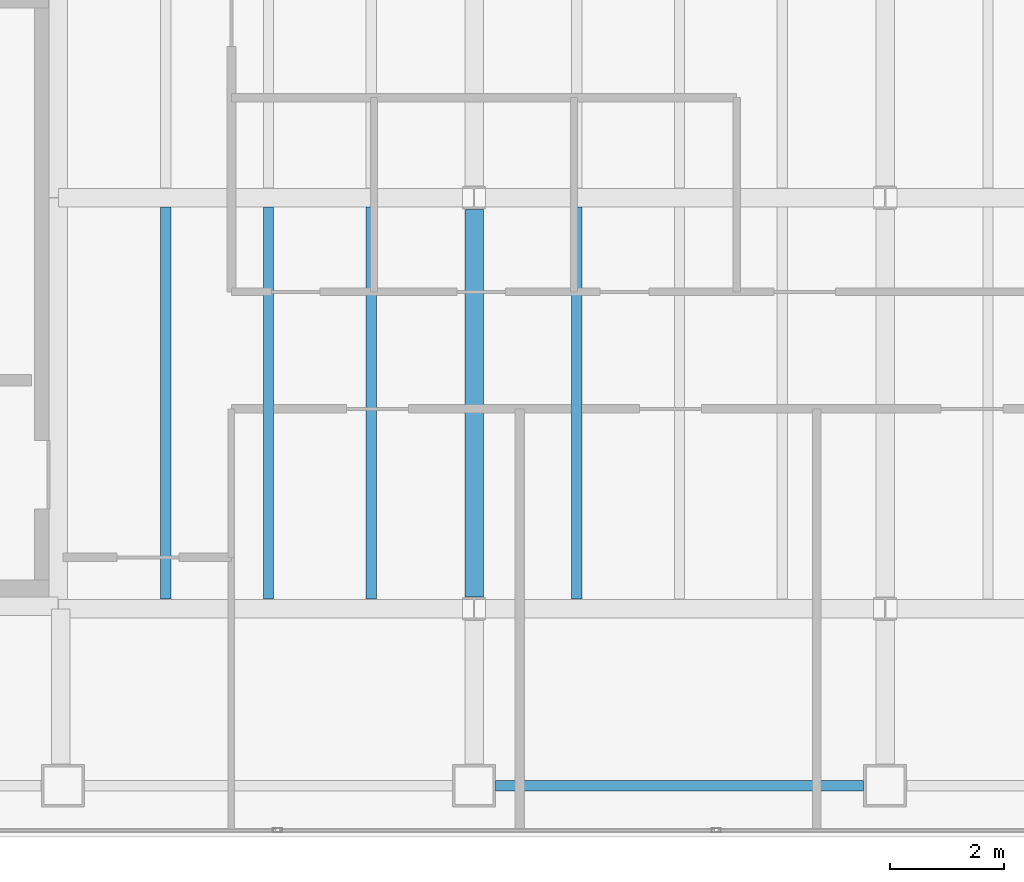
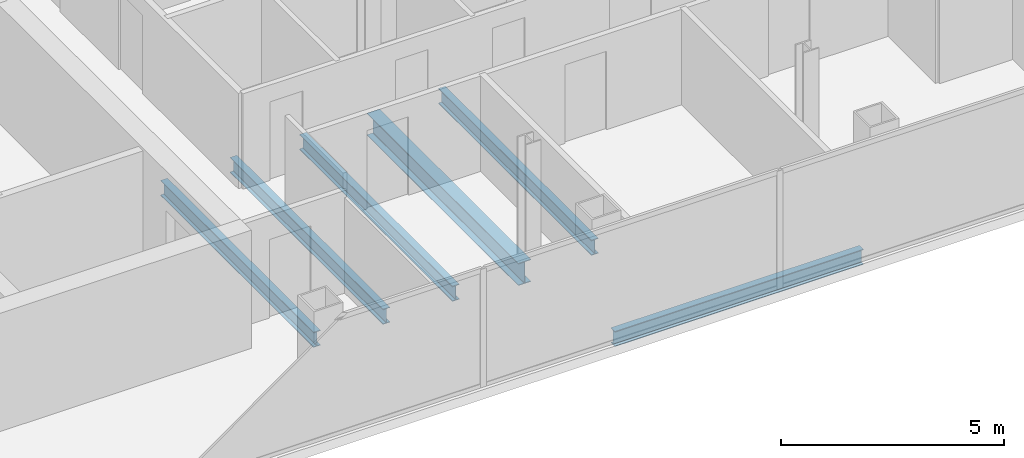
# One storey, part 5 of 23: 6 beams.
"""IFC4 building model written with IfcOpenShell, lengths in metres."""

from ifc_helpers import new_model, si_unit, direction, frame, origin, origin_2d, place, context, subcontext, project, spatial, i_section, extrude, material, material_profile, profile_set, type_object, element, save


model = new_model("IFC4")

# Units and contexts
model_context = context("Model", 3, precision=1e-05, world=origin(), true_north=direction((0.0, 1.0)))
body_context = subcontext(model_context, "Body", "Model", "MODEL_VIEW")
ifc_project = project(units=[si_unit("LENGTHUNIT", "METRE"), si_unit("AREAUNIT", "SQUARE_METRE"), si_unit("VOLUMEUNIT", "CUBIC_METRE"), si_unit("PLANEANGLEUNIT", "RADIAN"), si_unit("MASSUNIT", "GRAM", prefix="KILO")], contexts=[model_context])

# Site, building, storey
site_placement = place(None, origin())
site = spatial("IfcSite", under=ifc_project, at=site_placement, CompositionType="ELEMENT")
building_placement = place(site_placement, origin())
building = spatial("IfcBuilding", under=site, at=building_placement, Name="Cobrela Telecom Tower", CompositionType="ELEMENT")
storey_placement = place(building_placement, frame((0.0, 0.0, 222.25)))
storey = spatial("IfcBuildingStorey", under=building, at=storey_placement, Name="L57", CompositionType="ELEMENT", Elevation=222.25)

# Beams
ifc_material = material(Name="Steel ASTM A992 Grade 50", Category="steel")
ifc_material_profile_1 = material_profile(ifc_material, i_section(OverallWidth=0.324951171875, OverallDepth=0.612060546875, WebThickness=0.0126953125, FlangeThickness=0.01904296875, FilletRadius=0.014892578125, at=origin_2d()), Name="W24X104")
ifc_profile_set_1 = profile_set([ifc_material_profile_1], Name="Steel ASTM A992 Grade 50")
beam_type_1 = type_object("IfcBeamType", Name="BM-GIRD-07", PredefinedType="USERDEFINED", material=ifc_profile_set_1)
beam_1_placement = place(storey_placement, frame((21.60009765625, 7.404541015625, -0.56591796875), z_axis=(0.0, 1.0, 0.0), x_axis=(-1.0, 0.0, 0.0)))
element("IfcBeam", 1, at=beam_1_placement, inside=storey, type_object=beam_type_1, Name="L57 Primary Girder Y33", ObjectType="GIRDER", PredefinedType="USERDEFINED", context=body_context, shape_type="SweptSolid", body=[
    extrude(i_section(OverallWidth=0.324951171875, OverallDepth=0.612060546875, WebThickness=0.0126953125, FlangeThickness=0.01904296875, FilletRadius=0.014892578125, at=origin_2d()), origin(), (0.0, 0.0, 1.0), 6.791015625),
])
ifc_material_profile_2 = material_profile(ifc_material, i_section(OverallWidth=0.179931640625, OverallDepth=0.4169921875, WebThickness=0.010986328125, FlangeThickness=0.01806640625, FilletRadius=0.011962890625, at=origin_2d()), Name="W16X57")
ifc_profile_set_2 = profile_set([ifc_material_profile_2], Name="Steel ASTM A992 Grade 50")
beam_type_2 = type_object("IfcBeamType", Name="BM-JOIST-04", PredefinedType="JOIST", material=ifc_profile_set_2)
for number, where, z_axis, x_axis, name in (
    (2, (16.199951171875, 7.367431640625, -0.468505859375), (0.0, 1.0, 0.0), (-1.0, 0.0, 0.0), "L57 Secondary Composite Floor Beam J01"),
    (3, (18.0, 7.367431640625, -0.468505859375), (0.0, 1.0, 0.0), (-1.0, 0.0, 0.0), "L57 Secondary Composite Floor Beam J05"),
    (4, (19.800048828125, 7.367431640625, -0.468505859375), (0.0, 1.0, 0.0), (-1.0, 0.0, 0.0), "L57 Secondary Composite Floor Beam J09"),
    (5, (23.39990234375, 7.367431640625, -0.468505859375), (0.0, 1.0, 0.0), (-1.0, 0.0, 0.0), "L57 Secondary Composite Floor Beam J13"),
):
    element("IfcBeam", number, at=place(storey_placement, frame(where, z_axis=z_axis, x_axis=x_axis)), inside=storey, type_object=beam_type_2, Name=name, PredefinedType="JOIST", context=body_context, shape_type="SweptSolid", body=[
        extrude(i_section(OverallWidth=0.179931640625, OverallDepth=0.4169921875, WebThickness=0.010986328125, FlangeThickness=0.01806640625, FilletRadius=0.011962890625, at=origin_2d()), origin(), (0.0, 0.0, 1.0), 6.864990234375),
    ])
ifc_material_profile_3 = material_profile(ifc_material, i_section(OverallWidth=0.179931640625, OverallDepth=0.4169921875, WebThickness=0.010986328125, FlangeThickness=0.01806640625, FilletRadius=0.011962890625, at=origin_2d()), Name="W16X57")
ifc_profile_set_3 = profile_set([ifc_material_profile_3], Name="Steel ASTM A992 Grade 50")
beam_type_3 = type_object("IfcBeamType", Name="BM-SPAND-06", PredefinedType="SPANDREL", material=ifc_profile_set_3)
beam_2_placement = place(storey_placement, frame((21.97998046875, 4.10009765625, -0.468505859375), z_axis=(1.0, 0.0, 0.0), x_axis=(0.0, 1.0, 0.0)))
element("IfcBeam", 6, at=beam_2_placement, inside=storey, type_object=beam_type_3, Name="L57 Perimeter Spandrel X03", PredefinedType="SPANDREL", context=body_context, shape_type="SweptSolid", body=[
    extrude(i_section(OverallWidth=0.179931640625, OverallDepth=0.4169921875, WebThickness=0.010986328125, FlangeThickness=0.01806640625, FilletRadius=0.011962890625, at=origin_2d()), origin(), (0.0, 0.0, 1.0), 6.43994140625),
])

save(model, "model.ifc")
